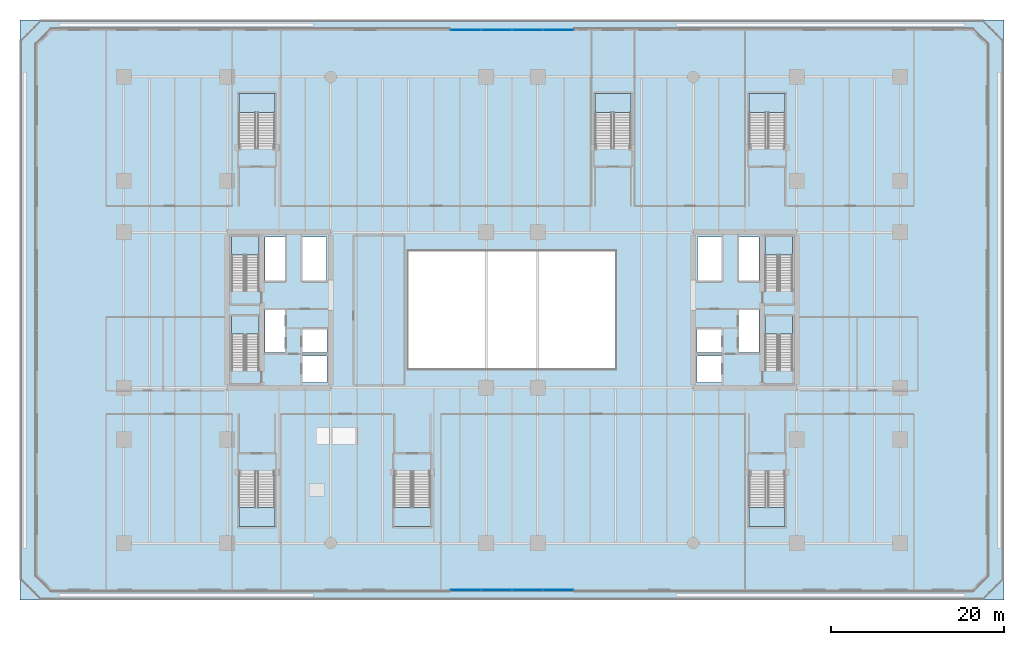
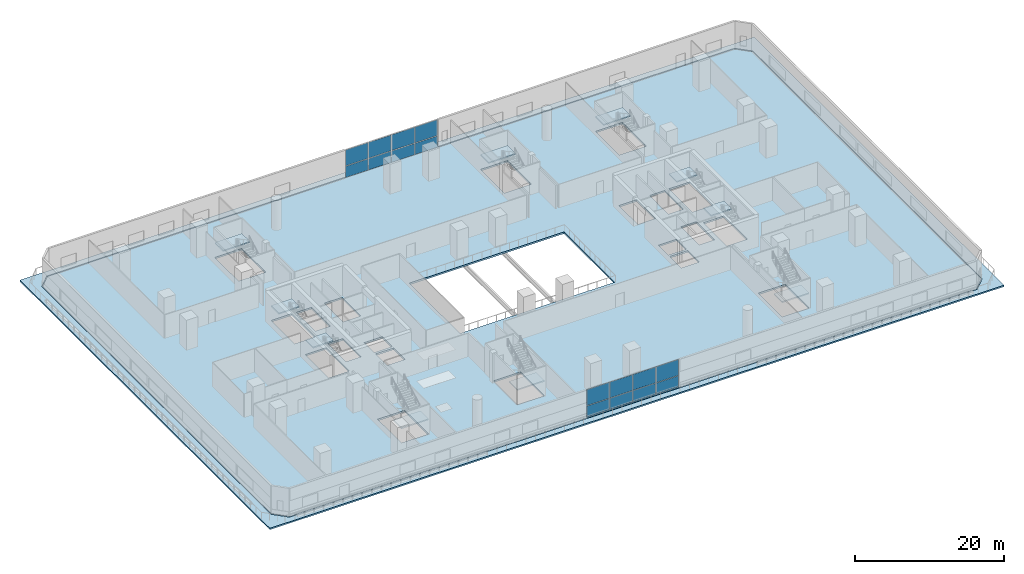
# One storey, part 5 of 24: 16 plates, 12 slabs, 12 elements without a shape of their own.
"""IFC4 building model written with IfcOpenShell, lengths in metres."""

from ifc_helpers import new_model, si_unit, direction, frame, origin, origin_2d, place, context, subcontext, project, spatial, polyline, rectangle, outline, extrude, material, layer, layer_set, type_object, element, aggregate, save


model = new_model("IFC4")

# Units and contexts
model_context = context("Model", 3, precision=1e-05, world=origin(), true_north=direction((0.0, 1.0)))
body_context = subcontext(model_context, "Body", "Model", "MODEL_VIEW")
ifc_project = project(units=[si_unit("LENGTHUNIT", "METRE"), si_unit("AREAUNIT", "SQUARE_METRE"), si_unit("VOLUMEUNIT", "CUBIC_METRE"), si_unit("PLANEANGLEUNIT", "RADIAN"), si_unit("MASSUNIT", "GRAM", prefix="KILO")], contexts=[model_context])

# Site, building, storey
site_placement = place(None, origin())
site = spatial("IfcSite", under=ifc_project, at=site_placement, CompositionType="ELEMENT")
building_placement = place(site_placement, origin())
building = spatial("IfcBuilding", under=site, at=building_placement, Name="Tanjung Sevakor Pilgrim Tower", CompositionType="ELEMENT")
storey_placement = place(building_placement, frame((0.0, 0.0, 4.949951171875)))
storey = spatial("IfcBuildingStorey", under=building, at=storey_placement, Name="L02", CompositionType="ELEMENT", Elevation=4.949951171875)

# Stair, slab
ifc_material_1 = material(Name="Concrete C40/50", Category="concrete")
stair_type_1 = type_object("IfcStairType", Name="STAIR-ST-CR150", PredefinedType="HALF_TURN_STAIR", material=ifc_material_1)
stair_1_placement = place(storey_placement, origin())
stair_1 = element("IfcStair", 1, at=stair_1_placement, inside=storey, type_object=stair_type_1, Name="L02 West Core Exit Stair 1", PredefinedType="HALF_TURN_STAIR")
ifc_material_2 = material(Name="Concrete C40/50", Category="concrete")
ifc_layer_1 = layer(ifc_material_2, 0.199951171875)
ifc_layer_set_1 = layer_set([ifc_layer_1], Name="SL-LAND-200")
slab_type_1 = type_object("IfcSlabType", Name="SL-LAND-200", PredefinedType="LANDING", material=ifc_layer_set_1)
slab_1_placement = place(storey_placement, frame((0.0, 0.0, 2.275146484375)))
slab_1 = element("IfcSlab", 2, at=slab_1_placement, type_object=slab_type_1, Name="TS-W1 landing 1", PredefinedType="LANDING", context=body_context, shape_type="SweptSolid", body=[
    extrude(outline(polyline([(27.699951171875, 30.800048828125), (27.699951171875, 32.89990234375), (24.5, 32.89990234375), (24.5, 30.800048828125), (27.699951171875, 30.800048828125)])), origin(), (0.0, 0.0, 1.0), 0.199951171875),
])
aggregate(stair_1, [slab_1])

stair_2_placement = place(storey_placement, origin())
stair_2 = element("IfcStair", 3, at=stair_2_placement, inside=storey, type_object=stair_type_1, Name="L02 West Core Exit Stair 2", PredefinedType="HALF_TURN_STAIR")
slab_2_placement = place(storey_placement, frame((0.0, 0.0, 2.275146484375)))
slab_2 = element("IfcSlab", 4, at=slab_2_placement, type_object=slab_type_1, Name="TS-W2 landing 1", PredefinedType="LANDING", context=body_context, shape_type="SweptSolid", body=[
    extrude(outline(polyline([(27.699951171875, 40.0), (27.699951171875, 42.10009765625), (24.5, 42.10009765625), (24.5, 40.0), (27.699951171875, 40.0)])), origin(), (0.0, 0.0, 1.0), 0.199951171875),
])
aggregate(stair_2, [slab_2])

stair_3_placement = place(storey_placement, origin())
stair_3 = element("IfcStair", 5, at=stair_3_placement, inside=storey, type_object=stair_type_1, Name="L02 East Core Exit Stair 1", PredefinedType="HALF_TURN_STAIR")
slab_3_placement = place(storey_placement, frame((0.0, 0.0, 2.275146484375)))
slab_3 = element("IfcSlab", 6, at=slab_3_placement, type_object=slab_type_1, Name="TS-E1 landing 1", PredefinedType="LANDING", context=body_context, shape_type="SweptSolid", body=[
    extrude(outline(polyline([(89.5, 30.800048828125), (89.5, 32.89990234375), (86.300048828125, 32.89990234375), (86.300048828125, 30.800048828125), (89.5, 30.800048828125)])), origin(), (0.0, 0.0, 1.0), 0.199951171875),
])
aggregate(stair_3, [slab_3])

stair_4_placement = place(storey_placement, origin())
stair_4 = element("IfcStair", 7, at=stair_4_placement, inside=storey, type_object=stair_type_1, Name="L02 East Core Exit Stair 2", PredefinedType="HALF_TURN_STAIR")
slab_4_placement = place(storey_placement, frame((0.0, 0.0, 2.275146484375)))
slab_4 = element("IfcSlab", 8, at=slab_4_placement, type_object=slab_type_1, Name="TS-E2 landing 1", PredefinedType="LANDING", context=body_context, shape_type="SweptSolid", body=[
    extrude(outline(polyline([(89.5, 40.0), (89.5, 42.10009765625), (86.300048828125, 42.10009765625), (86.300048828125, 40.0), (89.5, 40.0)])), origin(), (0.0, 0.0, 1.0), 0.199951171875),
])
aggregate(stair_4, [slab_4])

ifc_material_3 = material(Name="Concrete C40/50", Category="concrete")
stair_type_2 = type_object("IfcStairType", Name="STAIR-ST-PD200", PredefinedType="HALF_TURN_STAIR", material=ifc_material_3)
stair_5_placement = place(storey_placement, origin())
stair_5 = element("IfcStair", 9, at=stair_5_placement, inside=storey, type_object=stair_type_2, Name="L02 Podium South-West Assembly Stair", PredefinedType="HALF_TURN_STAIR")
slab_5_placement = place(storey_placement, frame((0.0, 0.0, 2.275146484375)))
slab_5 = element("IfcSlab", 10, at=slab_5_placement, type_object=slab_type_1, Name="PS-1 landing 1", PredefinedType="LANDING", context=body_context, shape_type="SweptSolid", body=[
    extrude(outline(polyline([(25.35009765625, 10.699951171875), (25.35009765625, 8.5), (29.550048828125, 8.5), (29.550048828125, 10.699951171875), (25.35009765625, 10.699951171875)])), origin(), (0.0, 0.0, 1.0), 0.199951171875),
])
aggregate(stair_5, [slab_5])

stair_6_placement = place(storey_placement, origin())
stair_6 = element("IfcStair", 11, at=stair_6_placement, inside=storey, type_object=stair_type_2, Name="L02 Podium North-West Assembly Stair", PredefinedType="HALF_TURN_STAIR")
slab_6_placement = place(storey_placement, frame((0.0, 0.0, 2.275146484375)))
slab_6 = element("IfcSlab", 12, at=slab_6_placement, type_object=slab_type_1, Name="PS-2 landing 1", PredefinedType="LANDING", context=body_context, shape_type="SweptSolid", body=[
    extrude(outline(polyline([(29.550048828125, 56.5), (29.550048828125, 58.699951171875), (25.35009765625, 58.699951171875), (25.35009765625, 56.5), (29.550048828125, 56.5)])), origin(), (0.0, 0.0, 1.0), 0.199951171875),
])
aggregate(stair_6, [slab_6])

stair_7_placement = place(storey_placement, origin())
stair_7 = element("IfcStair", 13, at=stair_7_placement, inside=storey, type_object=stair_type_2, Name="L02 Podium South-Central Assembly Stair", PredefinedType="HALF_TURN_STAIR")
slab_7_placement = place(storey_placement, frame((0.0, 0.0, 2.275146484375)))
slab_7 = element("IfcSlab", 14, at=slab_7_placement, type_object=slab_type_1, Name="PS-3 landing 1", PredefinedType="LANDING", context=body_context, shape_type="SweptSolid", body=[
    extrude(outline(polyline([(43.35009765625, 10.699951171875), (43.35009765625, 8.5), (47.550048828125, 8.5), (47.550048828125, 10.699951171875), (43.35009765625, 10.699951171875)])), origin(), (0.0, 0.0, 1.0), 0.199951171875),
])
aggregate(stair_7, [slab_7])

stair_8_placement = place(storey_placement, origin())
stair_8 = element("IfcStair", 15, at=stair_8_placement, inside=storey, type_object=stair_type_2, Name="L02 Podium North-Central Assembly Stair", PredefinedType="HALF_TURN_STAIR")
slab_8_placement = place(storey_placement, frame((0.0, 0.0, 2.275146484375)))
slab_8 = element("IfcSlab", 16, at=slab_8_placement, type_object=slab_type_1, Name="PS-4 landing 1", PredefinedType="LANDING", context=body_context, shape_type="SweptSolid", body=[
    extrude(outline(polyline([(70.800048828125, 56.5), (70.800048828125, 58.699951171875), (66.60009765625, 58.699951171875), (66.60009765625, 56.5), (70.800048828125, 56.5)])), origin(), (0.0, 0.0, 1.0), 0.199951171875),
])
aggregate(stair_8, [slab_8])

stair_9_placement = place(storey_placement, origin())
stair_9 = element("IfcStair", 17, at=stair_9_placement, inside=storey, type_object=stair_type_2, Name="L02 Podium South-East Assembly Stair", PredefinedType="HALF_TURN_STAIR")
slab_9_placement = place(storey_placement, frame((0.0, 0.0, 2.275146484375)))
slab_9 = element("IfcSlab", 18, at=slab_9_placement, type_object=slab_type_1, Name="PS-5 landing 1", PredefinedType="LANDING", context=body_context, shape_type="SweptSolid", body=[
    extrude(outline(polyline([(84.449951171875, 10.699951171875), (84.449951171875, 8.5), (88.64990234375, 8.5), (88.64990234375, 10.699951171875), (84.449951171875, 10.699951171875)])), origin(), (0.0, 0.0, 1.0), 0.199951171875),
])
aggregate(stair_9, [slab_9])

stair_10_placement = place(storey_placement, origin())
stair_10 = element("IfcStair", 19, at=stair_10_placement, inside=storey, type_object=stair_type_2, Name="L02 Podium North-East Assembly Stair", PredefinedType="HALF_TURN_STAIR")
slab_10_placement = place(storey_placement, frame((0.0, 0.0, 2.275146484375)))
slab_10 = element("IfcSlab", 20, at=slab_10_placement, type_object=slab_type_1, Name="PS-6 landing 1", PredefinedType="LANDING", context=body_context, shape_type="SweptSolid", body=[
    extrude(outline(polyline([(88.64990234375, 56.5), (88.64990234375, 58.699951171875), (84.449951171875, 58.699951171875), (84.449951171875, 56.5), (88.64990234375, 56.5)])), origin(), (0.0, 0.0, 1.0), 0.199951171875),
])
aggregate(stair_10, [slab_10])

# Slabs
ifc_material_4 = material(Name="Concrete C40/50", Category="concrete")
ifc_layer_2 = layer(ifc_material_4, 0.280029296875)
ifc_layer_set_2 = layer_set([ifc_layer_2], Name="SL-POD-280")
slab_type_2 = type_object("IfcSlabType", Name="SL-POD-280", PredefinedType="FLOOR", material=ifc_layer_set_2)
slab_11_placement = place(storey_placement, frame((0.0, 0.0, -0.280029296875)))
element("IfcSlab", 21, at=slab_11_placement, inside=storey, type_object=slab_type_2, Name="L02 Floor Slab MAIN", PredefinedType="FLOOR", context=body_context, shape_type="SweptSolid", body=[
    extrude(outline(polyline([(3.64697265625, 1.080078125), (110.35302734375, 1.080078125), (112.1201171875, 2.846923828125), (112.1201171875, 64.35302734375), (110.35302734375, 66.1201171875), (3.64697265625, 66.1201171875), (1.8798828125, 64.35302734375), (1.8798828125, 2.846923828125), (3.64697265625, 1.080078125)]), holes=[polyline([(27.699951171875, 26.60009765625), (27.699951171875, 32.89990234375), (24.5, 32.89990234375), (24.5, 26.60009765625), (27.699951171875, 26.60009765625)]), polyline([(27.699951171875, 35.800048828125), (27.699951171875, 42.10009765625), (24.5, 42.10009765625), (24.5, 35.800048828125), (27.699951171875, 35.800048828125)]), polyline([(89.5, 26.60009765625), (89.5, 32.89990234375), (86.300048828125, 32.89990234375), (86.300048828125, 26.60009765625), (89.5, 26.60009765625)]), polyline([(89.5, 35.800048828125), (89.5, 42.10009765625), (86.300048828125, 42.10009765625), (86.300048828125, 35.800048828125), (89.5, 35.800048828125)]), polyline([(25.35009765625, 14.89990234375), (25.35009765625, 8.5), (29.550048828125, 8.5), (29.550048828125, 14.89990234375), (25.35009765625, 14.89990234375)]), polyline([(29.550048828125, 52.300048828125), (29.550048828125, 58.699951171875), (25.35009765625, 58.699951171875), (25.35009765625, 52.300048828125), (29.550048828125, 52.300048828125)]), polyline([(43.35009765625, 14.89990234375), (43.35009765625, 8.5), (47.550048828125, 8.5), (47.550048828125, 14.89990234375), (43.35009765625, 14.89990234375)]), polyline([(70.800048828125, 52.300048828125), (70.800048828125, 58.699951171875), (66.60009765625, 58.699951171875), (66.60009765625, 52.300048828125), (70.800048828125, 52.300048828125)]), polyline([(84.449951171875, 14.89990234375), (84.449951171875, 8.5), (88.64990234375, 8.5), (88.64990234375, 14.89990234375), (84.449951171875, 14.89990234375)]), polyline([(88.64990234375, 52.300048828125), (88.64990234375, 58.699951171875), (84.449951171875, 58.699951171875), (84.449951171875, 52.300048828125), (88.64990234375, 52.300048828125)]), polyline([(32.75, 25.199951171875), (35.550048828125, 25.199951171875), (35.550048828125, 28.300048828125), (32.75, 28.300048828125), (32.75, 25.199951171875)]), polyline([(32.75, 28.699951171875), (35.550048828125, 28.699951171875), (35.550048828125, 31.35009765625), (32.75, 31.35009765625), (32.75, 28.699951171875)]), polyline([(28.39990234375, 28.699951171875), (30.75, 28.699951171875), (30.75, 33.60009765625), (28.39990234375, 33.60009765625), (28.39990234375, 28.699951171875)]), polyline([(28.39990234375, 37.0), (30.75, 37.0), (30.75, 42.050048828125), (28.39990234375, 42.050048828125), (28.39990234375, 37.0)]), polyline([(32.75, 37.0), (35.5, 37.0), (35.5, 42.050048828125), (32.75, 42.050048828125), (32.75, 37.0)]), polyline([(78.449951171875, 25.199951171875), (81.25, 25.199951171875), (81.25, 28.300048828125), (78.449951171875, 28.300048828125), (78.449951171875, 25.199951171875)]), polyline([(78.449951171875, 28.699951171875), (81.25, 28.699951171875), (81.25, 31.35009765625), (78.449951171875, 31.35009765625), (78.449951171875, 28.699951171875)]), polyline([(83.25, 28.699951171875), (85.60009765625, 28.699951171875), (85.60009765625, 33.60009765625), (83.25, 33.60009765625), (83.25, 28.699951171875)]), polyline([(83.25, 37.0), (85.60009765625, 37.0), (85.60009765625, 42.050048828125), (83.25, 42.050048828125), (83.25, 37.0)]), polyline([(78.5, 37.0), (81.25, 37.0), (81.25, 42.050048828125), (78.5, 42.050048828125), (78.5, 37.0)]), polyline([(45.0, 26.800048828125), (69.0, 26.800048828125), (69.0, 40.39990234375), (45.0, 40.39990234375), (45.0, 26.800048828125)])]), origin(), (0.0, 0.0, 1.0), 0.280029296875),
])
ifc_material_5 = material(Name="Concrete C40/50", Category="concrete")
ifc_layer_3 = layer(ifc_material_5, 0.239990234375)
ifc_layer_set_3 = layer_set([ifc_layer_3], Name="SL-TER-240")
slab_type_3 = type_object("IfcSlabType", Name="SL-TER-240", PredefinedType="FLOOR", material=ifc_layer_set_3)
slab_12_placement = place(storey_placement, frame((0.0, 0.0, -0.239990234375)))
element("IfcSlab", 22, at=slab_12_placement, inside=storey, type_object=slab_type_3, Name="L02 Cascade Garden Terrace Ring", PredefinedType="FLOOR", context=body_context, shape_type="SweptSolid", body=[
    extrude(outline(polyline([(0.0, 0.0), (114.0, 0.0), (114.0, 67.199951171875), (0.0, 67.199951171875), (0.0, 0.0)]), holes=[polyline([(3.58837890625, 0.97998046875), (110.41162109375, 0.97998046875), (112.219970703125, 2.788330078125), (112.219970703125, 64.41162109375), (110.41162109375, 66.219970703125), (3.58837890625, 66.219970703125), (1.780029296875, 64.41162109375), (1.780029296875, 2.788330078125), (3.58837890625, 0.97998046875)])]), origin(), (0.0, 0.0, 1.0), 0.239990234375),
])

# Curtain wall, plates
ifc_material_6 = material(Name="Aluminium 6063-T6 and Low-E Glass", Category="aluminium")
ifc_layer_4 = layer(ifc_material_6, 0.179931640625)
ifc_layer_set_4 = layer_set([ifc_layer_4], Name="CW-SYS-POD")
curtain_wall_type = type_object("IfcCurtainWallType", Name="CW-SYS-POD", PredefinedType="NOTDEFINED", material=ifc_layer_set_4)
curtain_wall_1_placement = place(storey_placement, origin())
curtain_wall_1 = element("IfcCurtainWall", 23, at=curtain_wall_1_placement, inside=storey, type_object=curtain_wall_type, Name="L02 Curtain Wall CW-POD-L02-S", PredefinedType="NOTDEFINED")
ifc_material_7 = material(Name="Laminated Low-E Double Glazing", Category="glass")
ifc_layer_5 = layer(ifc_material_7, 0.028076171875)
ifc_layer_set_5 = layer_set([ifc_layer_5], Name="TYPE-CWP-GLZ1")
plate_type = type_object("IfcPlateType", Name="TYPE-CWP-GLZ1", PredefinedType="CURTAIN_PANEL", material=ifc_layer_set_5)
plate_1_placement = place(storey_placement, frame((51.6201171875, 1.14990234375, 0.080078125), z_axis=(0.0, 0.0, 1.0), x_axis=(1.0, 0.0, 0.0)))
plate_1 = element("IfcPlate", 24, at=plate_1_placement, type_object=plate_type, Name="CW-POD panel 1.1", PredefinedType="CURTAIN_PANEL", context=body_context, shape_type="SweptSolid", body=[
    extrude(rectangle(XDim=3.47998046875, YDim=0.028076171875, at=origin_2d()), origin(), (0.0, 0.0, 1.0), 1.84130859375),
])
plate_2_placement = place(storey_placement, frame((51.6201171875, 1.14990234375, 2.00146484375), z_axis=(0.0, 0.0, 1.0), x_axis=(1.0, 0.0, 0.0)))
plate_2 = element("IfcPlate", 25, at=plate_2_placement, type_object=plate_type, Name="CW-POD panel 1.2", PredefinedType="CURTAIN_PANEL", context=body_context, shape_type="SweptSolid", body=[
    extrude(rectangle(XDim=3.47998046875, YDim=0.028076171875, at=origin_2d()), origin(), (0.0, 0.0, 1.0), 2.588623046875),
])
plate_3_placement = place(storey_placement, frame((55.199951171875, 1.14990234375, 0.080078125), z_axis=(0.0, 0.0, 1.0), x_axis=(1.0, 0.0, 0.0)))
plate_3 = element("IfcPlate", 26, at=plate_3_placement, type_object=plate_type, Name="CW-POD panel 2.1", PredefinedType="CURTAIN_PANEL", context=body_context, shape_type="SweptSolid", body=[
    extrude(rectangle(XDim=3.52001953125, YDim=0.028076171875, at=origin_2d()), origin(), (0.0, 0.0, 1.0), 1.84130859375),
])
plate_4_placement = place(storey_placement, frame((55.199951171875, 1.14990234375, 2.00146484375), z_axis=(0.0, 0.0, 1.0), x_axis=(1.0, 0.0, 0.0)))
plate_4 = element("IfcPlate", 27, at=plate_4_placement, type_object=plate_type, Name="CW-POD panel 2.2", PredefinedType="CURTAIN_PANEL", context=body_context, shape_type="SweptSolid", body=[
    extrude(rectangle(XDim=3.52001953125, YDim=0.028076171875, at=origin_2d()), origin(), (0.0, 0.0, 1.0), 2.588623046875),
])
plate_5_placement = place(storey_placement, frame((58.800048828125, 1.14990234375, 0.080078125), z_axis=(0.0, 0.0, 1.0), x_axis=(1.0, 0.0, 0.0)))
plate_5 = element("IfcPlate", 28, at=plate_5_placement, type_object=plate_type, Name="CW-POD panel 3.1", PredefinedType="CURTAIN_PANEL", context=body_context, shape_type="SweptSolid", body=[
    extrude(rectangle(XDim=3.52001953125, YDim=0.028076171875, at=origin_2d()), origin(), (0.0, 0.0, 1.0), 1.84130859375),
])
plate_6_placement = place(storey_placement, frame((58.800048828125, 1.14990234375, 2.00146484375), z_axis=(0.0, 0.0, 1.0), x_axis=(1.0, 0.0, 0.0)))
plate_6 = element("IfcPlate", 29, at=plate_6_placement, type_object=plate_type, Name="CW-POD panel 3.2", PredefinedType="CURTAIN_PANEL", context=body_context, shape_type="SweptSolid", body=[
    extrude(rectangle(XDim=3.52001953125, YDim=0.028076171875, at=origin_2d()), origin(), (0.0, 0.0, 1.0), 2.588623046875),
])
plate_7_placement = place(storey_placement, frame((62.3798828125, 1.14990234375, 0.080078125), z_axis=(0.0, 0.0, 1.0), x_axis=(1.0, 0.0, 0.0)))
plate_7 = element("IfcPlate", 30, at=plate_7_placement, type_object=plate_type, Name="CW-POD panel 4.1", PredefinedType="CURTAIN_PANEL", context=body_context, shape_type="SweptSolid", body=[
    extrude(rectangle(XDim=3.47998046875, YDim=0.028076171875, at=origin_2d()), origin(), (0.0, 0.0, 1.0), 1.84130859375),
])
plate_8_placement = place(storey_placement, frame((62.3798828125, 1.14990234375, 2.00146484375), z_axis=(0.0, 0.0, 1.0), x_axis=(1.0, 0.0, 0.0)))
plate_8 = element("IfcPlate", 31, at=plate_8_placement, type_object=plate_type, Name="CW-POD panel 4.2", PredefinedType="CURTAIN_PANEL", context=body_context, shape_type="SweptSolid", body=[
    extrude(rectangle(XDim=3.47998046875, YDim=0.028076171875, at=origin_2d()), origin(), (0.0, 0.0, 1.0), 2.588623046875),
])
aggregate(curtain_wall_1, [plate_1, plate_2, plate_3, plate_4, plate_5, plate_6, plate_7, plate_8])

curtain_wall_2_placement = place(storey_placement, origin())
curtain_wall_2 = element("IfcCurtainWall", 32, at=curtain_wall_2_placement, inside=storey, type_object=curtain_wall_type, Name="L02 Curtain Wall CW-POD-L02-N", PredefinedType="NOTDEFINED")
plate_9_placement = place(storey_placement, frame((62.3798828125, 66.050048828125, 0.080078125), z_axis=(0.0, 0.0, 1.0), x_axis=(-1.0, 0.0, 0.0)))
plate_9 = element("IfcPlate", 33, at=plate_9_placement, type_object=plate_type, Name="CW-POD panel 1.1", PredefinedType="CURTAIN_PANEL", context=body_context, shape_type="SweptSolid", body=[
    extrude(rectangle(XDim=3.47998046875, YDim=0.028076171875, at=origin_2d()), origin(), (0.0, 0.0, 1.0), 1.84130859375),
])
plate_10_placement = place(storey_placement, frame((62.3798828125, 66.050048828125, 2.00146484375), z_axis=(0.0, 0.0, 1.0), x_axis=(-1.0, 0.0, 0.0)))
plate_10 = element("IfcPlate", 34, at=plate_10_placement, type_object=plate_type, Name="CW-POD panel 1.2", PredefinedType="CURTAIN_PANEL", context=body_context, shape_type="SweptSolid", body=[
    extrude(rectangle(XDim=3.47998046875, YDim=0.028076171875, at=origin_2d()), origin(), (0.0, 0.0, 1.0), 2.588623046875),
])
plate_11_placement = place(storey_placement, frame((58.800048828125, 66.050048828125, 0.080078125), z_axis=(0.0, 0.0, 1.0), x_axis=(-1.0, 0.0, 0.0)))
plate_11 = element("IfcPlate", 35, at=plate_11_placement, type_object=plate_type, Name="CW-POD panel 2.1", PredefinedType="CURTAIN_PANEL", context=body_context, shape_type="SweptSolid", body=[
    extrude(rectangle(XDim=3.52001953125, YDim=0.028076171875, at=origin_2d()), origin(), (0.0, 0.0, 1.0), 1.84130859375),
])
plate_12_placement = place(storey_placement, frame((58.800048828125, 66.050048828125, 2.00146484375), z_axis=(0.0, 0.0, 1.0), x_axis=(-1.0, 0.0, 0.0)))
plate_12 = element("IfcPlate", 36, at=plate_12_placement, type_object=plate_type, Name="CW-POD panel 2.2", PredefinedType="CURTAIN_PANEL", context=body_context, shape_type="SweptSolid", body=[
    extrude(rectangle(XDim=3.52001953125, YDim=0.028076171875, at=origin_2d()), origin(), (0.0, 0.0, 1.0), 2.588623046875),
])
plate_13_placement = place(storey_placement, frame((55.199951171875, 66.050048828125, 0.080078125), z_axis=(0.0, 0.0, 1.0), x_axis=(-1.0, 0.0, 0.0)))
plate_13 = element("IfcPlate", 37, at=plate_13_placement, type_object=plate_type, Name="CW-POD panel 3.1", PredefinedType="CURTAIN_PANEL", context=body_context, shape_type="SweptSolid", body=[
    extrude(rectangle(XDim=3.52001953125, YDim=0.028076171875, at=origin_2d()), origin(), (0.0, 0.0, 1.0), 1.84130859375),
])
plate_14_placement = place(storey_placement, frame((55.199951171875, 66.050048828125, 2.00146484375), z_axis=(0.0, 0.0, 1.0), x_axis=(-1.0, 0.0, 0.0)))
plate_14 = element("IfcPlate", 38, at=plate_14_placement, type_object=plate_type, Name="CW-POD panel 3.2", PredefinedType="CURTAIN_PANEL", context=body_context, shape_type="SweptSolid", body=[
    extrude(rectangle(XDim=3.52001953125, YDim=0.028076171875, at=origin_2d()), origin(), (0.0, 0.0, 1.0), 2.588623046875),
])
plate_15_placement = place(storey_placement, frame((51.6201171875, 66.050048828125, 0.080078125), z_axis=(0.0, 0.0, 1.0), x_axis=(-1.0, 0.0, 0.0)))
plate_15 = element("IfcPlate", 39, at=plate_15_placement, type_object=plate_type, Name="CW-POD panel 4.1", PredefinedType="CURTAIN_PANEL", context=body_context, shape_type="SweptSolid", body=[
    extrude(rectangle(XDim=3.47998046875, YDim=0.028076171875, at=origin_2d()), origin(), (0.0, 0.0, 1.0), 1.84130859375),
])
plate_16_placement = place(storey_placement, frame((51.6201171875, 66.050048828125, 2.00146484375), z_axis=(0.0, 0.0, 1.0), x_axis=(-1.0, 0.0, 0.0)))
plate_16 = element("IfcPlate", 40, at=plate_16_placement, type_object=plate_type, Name="CW-POD panel 4.2", PredefinedType="CURTAIN_PANEL", context=body_context, shape_type="SweptSolid", body=[
    extrude(rectangle(XDim=3.47998046875, YDim=0.028076171875, at=origin_2d()), origin(), (0.0, 0.0, 1.0), 2.588623046875),
])
aggregate(curtain_wall_2, [plate_9, plate_10, plate_11, plate_12, plate_13, plate_14, plate_15, plate_16])

save(model, "model.ifc")
